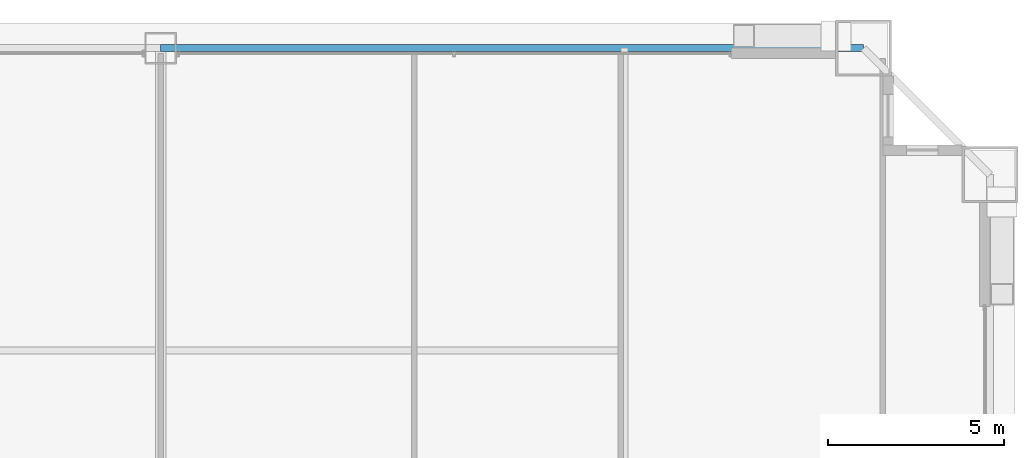
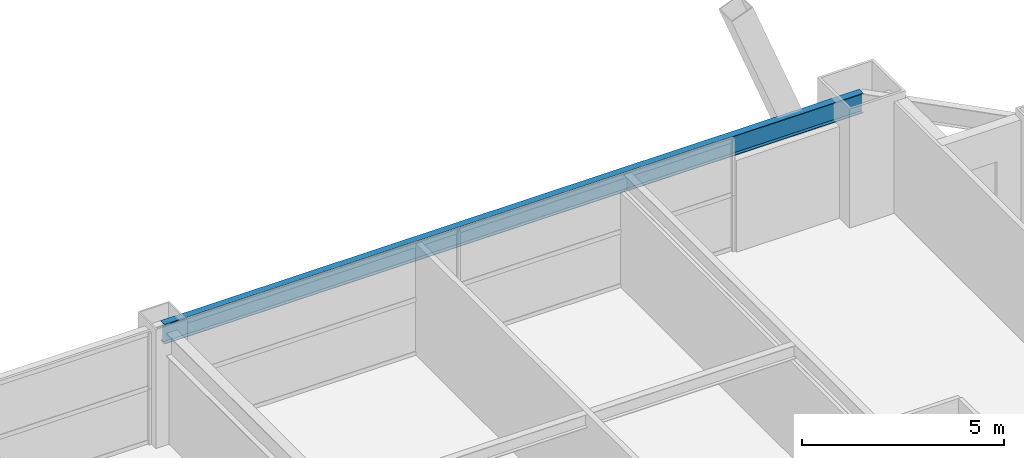
# One storey, part 35 of 43: 1 beam.
"""IFC4 building model written with IfcOpenShell, lengths in metres."""

from ifc_helpers import new_model, si_unit, direction, frame, origin, origin_2d, place, context, subcontext, project, spatial, i_section, extrude, source, transform, mapped, material, material_profile, profile_set, type_object, element, save


model = new_model("IFC4")

# Units and contexts
model_context = context("Model", 3, precision=1e-05, world=origin(), true_north=direction((0.0, 1.0)))
body_context = subcontext(model_context, "Body", "Model", "MODEL_VIEW")
ifc_project = project(units=[si_unit("LENGTHUNIT", "METRE"), si_unit("AREAUNIT", "SQUARE_METRE"), si_unit("VOLUMEUNIT", "CUBIC_METRE"), si_unit("PLANEANGLEUNIT", "RADIAN"), si_unit("MASSUNIT", "GRAM", prefix="KILO"), si_unit("THERMODYNAMICTEMPERATUREUNIT", "KELVIN"), si_unit("POWERUNIT", "WATT")], contexts=[model_context])

# Site, building, storey
site_placement = place(None, origin())
site = spatial("IfcSite", under=ifc_project, at=site_placement, CompositionType="ELEMENT")
building_placement = place(site_placement, origin())
building = spatial("IfcBuilding", under=site, at=building_placement, Name="Yuzanri Waterfront Tower", CompositionType="ELEMENT")
storey_placement = place(building_placement, frame((0.0, 0.0, 159.60009765625)))
storey = spatial("IfcBuildingStorey", under=building, at=storey_placement, Name="L42", CompositionType="ELEMENT", Elevation=159.60009765625)

# Beam
ifc_material = material(Name="Steel Q355B", Category="steel")
ifc_material_profile = material_profile(ifc_material, i_section(OverallWidth=0.199951171875, OverallDepth=0.60009765625, WebThickness=0.010986328125, FlangeThickness=0.01708984375, at=origin_2d()), Name="HN 600x200x11x17")
ifc_profile_set = profile_set([ifc_material_profile], Name="Steel Q355B")
beam_type = type_object("IfcBeamType", Name="Perimeter Spandrel Q355B HN 600x200", PredefinedType="SPANDREL", material=ifc_profile_set)
shared_shape = source(origin(), body_context, "Body", "SweptSolid", [
    extrude(i_section(OverallWidth=0.199951171875, OverallDepth=0.60009765625, WebThickness=0.010986328125, FlangeThickness=0.01708984375, at=origin_2d()), origin(), (0.0, 0.0, 1.0), 20.0),
])
beam_placement = place(storey_placement, frame((57.0, 49.39990234375, 3.079833984375), z_axis=(-1.0, 0.0, 0.0), x_axis=(0.0, -1.0, 0.0)))
element("IfcBeam", 1, at=beam_placement, inside=storey, type_object=beam_type, Name="L42 Perimeter Spandrel N3-N2", PredefinedType="SPANDREL", context=body_context, shape_type="MappedRepresentation", body=[
    mapped(shared_shape, transform((0.0, 0.0, 0.0), scale=1.0)),
])

save(model, "model.ifc")
